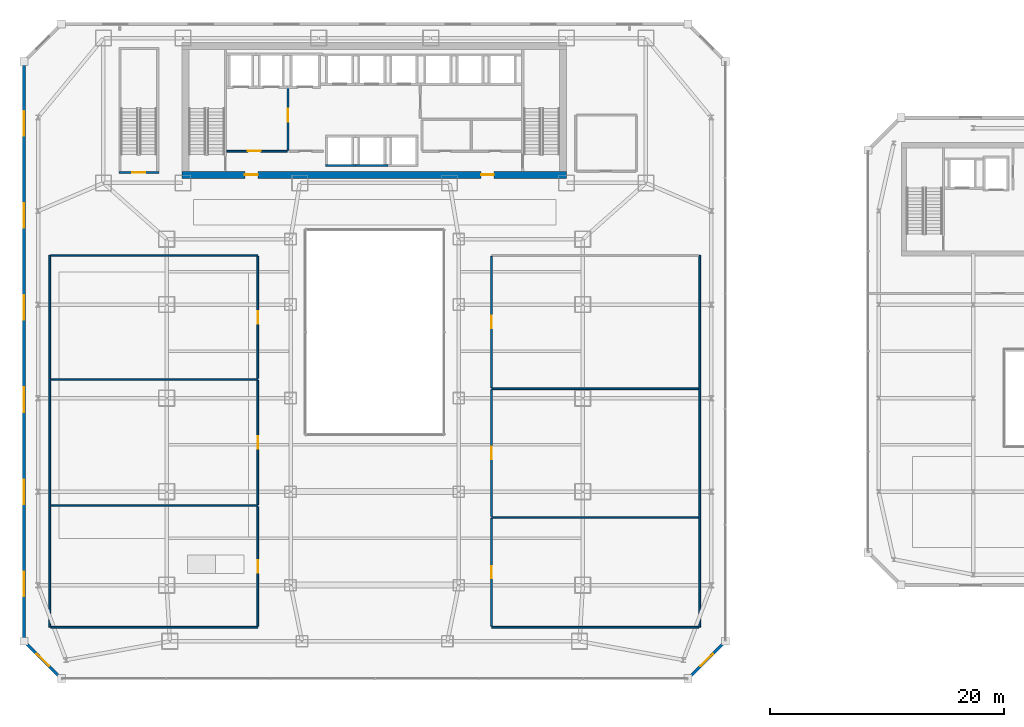
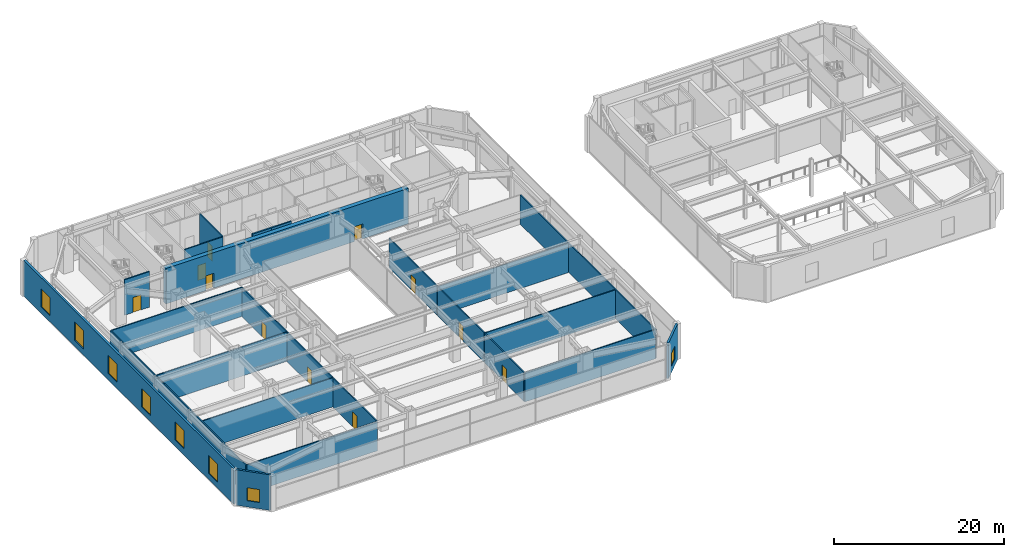
# One storey, part 39 of 52: 24 walls, 11 doors, 8 windows, 19 openings.
"""IFC4 building model written with IfcOpenShell, lengths in metres."""

from ifc_helpers import new_model, si_unit, direction, frame, frame_2d, origin, place, context, subcontext, project, spatial, rectangle, extrude, material, layer, layer_set, type_object, element, fill, save


model = new_model("IFC4")

# Units and contexts
model_context = context("Model", 3, precision=1e-05, world=origin(), true_north=direction((0.0, 1.0)))
body_context = subcontext(model_context, "Body", "Model", "MODEL_VIEW")
ifc_project = project(units=[si_unit("LENGTHUNIT", "METRE"), si_unit("AREAUNIT", "SQUARE_METRE"), si_unit("VOLUMEUNIT", "CUBIC_METRE"), si_unit("PLANEANGLEUNIT", "RADIAN"), si_unit("MASSUNIT", "GRAM", prefix="KILO")], contexts=[model_context])

# Site, building, storey
site_placement = place(None, origin())
site = spatial("IfcSite", under=ifc_project, at=site_placement, CompositionType="ELEMENT")
building_placement = place(site_placement, origin())
building = spatial("IfcBuilding", under=site, at=building_placement, Name="Saevonmaru Cultural Tower", CompositionType="ELEMENT")
storey_placement = place(building_placement, frame((0.0, 0.0, 16.800048828125)))
storey = spatial("IfcBuildingStorey", under=building, at=storey_placement, Name="L03", CompositionType="ELEMENT", Elevation=16.800048828125)

# Wall, openings, doors
ifc_material_1 = material(Name="Concrete C60/75", Category="concrete")
ifc_layer_1 = layer(ifc_material_1, 0.60009765625, Name="Concrete C60/75")
ifc_layer_set_1 = layer_set([ifc_layer_1], Name="Concrete C60/75")
wall_type_1 = type_object("IfcWallType", Name="WL-CORE-600", PredefinedType="SHEAR", material=ifc_layer_set_1)
wall_1_placement = place(storey_placement, frame((13.5, 43.10009765625, 0.0), z_axis=(0.0, 0.0, 1.0), x_axis=(1.0, 0.0, 0.0)))
wall_1 = element("IfcWall", 1, at=wall_1_placement, inside=storey, type_object=wall_type_1, Name="L03 Tower RC core shear wall S", PredefinedType="SHEAR", context=body_context, shape_type="SweptSolid", body=[
    extrude(rectangle(XDim=32.89990234375, YDim=0.60009765625, at=frame_2d((16.449951171875, 0.0))), origin(), (0.0, 0.0, 1.0), 5.099853515625),
])
opening_1_placement = place(wall_1_placement, frame((5.39990234375, 0.0, 0.0)))
opening_1 = element("IfcOpeningElement", 2, at=opening_1_placement, cuts=wall_1, Name="Opening FD-2", PredefinedType="OPENING", context=body_context, shape_type="SweptSolid", body=[
    extrude(rectangle(XDim=1.10009765625, YDim=2.14990234375, at=frame_2d((0.550048828125, 1.074951171875))), frame((0.0, 0.31005859375, 0.0), z_axis=(0.0, -1.0, 0.0), x_axis=(1.0, 0.0, 0.0)), (0.0, 0.0, 1.0), 0.6201171875),
])
opening_2_placement = place(wall_1_placement, frame((25.60009765625, 0.0, 0.0)))
opening_2 = element("IfcOpeningElement", 3, at=opening_2_placement, cuts=wall_1, Name="Opening FD-2", PredefinedType="OPENING", context=body_context, shape_type="SweptSolid", body=[
    extrude(rectangle(XDim=1.10009765625, YDim=2.14990234375, at=frame_2d((0.550048828125, 1.074951171875))), frame((0.0, 0.31005859375, 0.0), z_axis=(0.0, -1.0, 0.0), x_axis=(1.0, 0.0, 0.0)), (0.0, 0.0, 1.0), 0.6201171875),
])
ifc_material_2 = material(Name="Satin Bronze Anodised Aluminium", Category="aluminium")
door_type_1 = type_object("IfcDoorType", Name="DR-FD60-1100", OperationType="SINGLE_SWING_LEFT", PredefinedType="DOOR", material=ifc_material_2)
door_1_placement = place(opening_1_placement, origin())
door_1 = element("IfcDoor", 4, at=door_1_placement, inside=storey, type_object=door_type_1, Name="L03 Core West Lobby Fire Door", OperationType="SINGLE_SWING_LEFT", OverallHeight=2.14990234375, OverallWidth=1.10009765625, PredefinedType="DOOR", context=body_context, shape_type="SweptSolid", body=[
    extrude(rectangle(XDim=1.10009765625, YDim=2.14990234375, at=frame_2d((0.550048828125, 1.074951171875))), frame((0.0, 0.02490234375, 0.0), z_axis=(0.0, -1.0, 0.0), x_axis=(1.0, 0.0, 0.0)), (0.0, 0.0, 1.0), 0.050048828125),
])
fill(opening_1, door_1)
door_2_placement = place(opening_2_placement, origin())
door_2 = element("IfcDoor", 5, at=door_2_placement, inside=storey, type_object=door_type_1, Name="L03 Core East Lobby Fire Door", OperationType="SINGLE_SWING_LEFT", OverallHeight=2.14990234375, OverallWidth=1.10009765625, PredefinedType="DOOR", context=body_context, shape_type="SweptSolid", body=[
    extrude(rectangle(XDim=1.10009765625, YDim=2.14990234375, at=frame_2d((0.550048828125, 1.074951171875))), frame((0.0, 0.02490234375, 0.0), z_axis=(0.0, -1.0, 0.0), x_axis=(1.0, 0.0, 0.0)), (0.0, 0.0, 1.0), 0.050048828125),
])
fill(opening_2, door_2)

# Wall, opening, door
ifc_material_3 = material(Name="Gypsum Fireboard Partition", Category="gypsum")
ifc_layer_2 = layer(ifc_material_3, 0.14990234375, Name="Gypsum Fireboard Partition")
ifc_layer_set_2 = layer_set([ifc_layer_2], Name="Gypsum Fireboard Partition")
wall_type_2 = type_object("IfcWallType", Name="WL-CORE-PART-150", PredefinedType="PARTITIONING", material=ifc_layer_set_2)
wall_2_placement = place(storey_placement, frame((17.360107421875, 45.1201171875, 0.0), z_axis=(0.0, 0.0, 1.0), x_axis=(1.0, 0.0, 0.0)))
wall_2 = element("IfcWall", 6, at=wall_2_placement, inside=storey, type_object=wall_type_2, Name="L03 Firefighting Lift Lobby South Wall", PredefinedType="PARTITIONING", context=body_context, shape_type="SweptSolid", body=[
    extrude(rectangle(XDim=5.139892578125, YDim=0.14990234375, at=frame_2d((2.56982421875, 0.0))), origin(), (0.0, 0.0, 1.0), 5.099853515625),
])
opening_3_placement = place(wall_2_placement, frame((1.800048828125, 0.0, 0.0)))
opening_3 = element("IfcOpeningElement", 7, at=opening_3_placement, cuts=wall_2, Name="Opening FD-2", PredefinedType="OPENING", context=body_context, shape_type="SweptSolid", body=[
    extrude(rectangle(XDim=1.10009765625, YDim=2.14990234375, at=frame_2d((0.550048828125, 1.074951171875))), frame((0.0, 0.0849609375, 0.0), z_axis=(0.0, -1.0, 0.0), x_axis=(1.0, 0.0, 0.0)), (0.0, 0.0, 1.0), 0.169921875),
])
door_3_placement = place(opening_3_placement, origin())
door_3 = element("IfcDoor", 8, at=door_3_placement, inside=storey, type_object=door_type_1, Name="L03 Firefighting Lift Lobby South Door", OperationType="SINGLE_SWING_LEFT", OverallHeight=2.14990234375, OverallWidth=1.10009765625, PredefinedType="DOOR", context=body_context, shape_type="SweptSolid", body=[
    extrude(rectangle(XDim=1.10009765625, YDim=2.14990234375, at=frame_2d((0.550048828125, 1.074951171875))), frame((0.0, 0.02490234375, 0.0), z_axis=(0.0, -1.0, 0.0), x_axis=(1.0, 0.0, 0.0)), (0.0, 0.0, 1.0), 0.050048828125),
])
fill(opening_3, door_3)

wall_3_placement = place(storey_placement, frame((22.580078125, 50.550048828125, 0.0), z_axis=(0.0, 0.0, 1.0), x_axis=(0.0, -1.0, 0.0)))
wall_3 = element("IfcWall", 9, at=wall_3_placement, inside=storey, type_object=wall_type_2, Name="L03 Firefighting Lift Lobby East Wall", PredefinedType="PARTITIONING", context=body_context, shape_type="SweptSolid", body=[
    extrude(rectangle(XDim=5.330078125, YDim=0.14990234375, at=frame_2d((2.6650390625, 0.0))), origin(), (0.0, 0.0, 1.0), 5.099853515625),
])
opening_4_placement = place(wall_3_placement, frame((1.800048828125, 0.0, 0.0)))
opening_4 = element("IfcOpeningElement", 10, at=opening_4_placement, cuts=wall_3, Name="Opening FD-2", PredefinedType="OPENING", context=body_context, shape_type="SweptSolid", body=[
    extrude(rectangle(XDim=1.10009765625, YDim=2.14990234375, at=frame_2d((0.550048828125, 1.074951171875))), frame((0.0, 0.0849609375, 0.0), z_axis=(0.0, -1.0, 0.0), x_axis=(1.0, 0.0, 0.0)), (0.0, 0.0, 1.0), 0.169921875),
])
door_4_placement = place(opening_4_placement, origin())
door_4 = element("IfcDoor", 11, at=door_4_placement, inside=storey, type_object=door_type_1, Name="L03 Firefighting Lift Lobby East Door", OperationType="SINGLE_SWING_LEFT", OverallHeight=2.14990234375, OverallWidth=1.10009765625, PredefinedType="DOOR", context=body_context, shape_type="SweptSolid", body=[
    extrude(rectangle(XDim=1.10009765625, YDim=2.14990234375, at=frame_2d((0.550048828125, 1.074951171875))), frame((0.0, 0.02490234375, 0.0), z_axis=(0.0, -1.0, 0.0), x_axis=(1.0, 0.0, 0.0)), (0.0, 0.0, 1.0), 0.050048828125),
])
fill(opening_4, door_4)

# Wall, opening, window
ifc_material_4 = material(Name="Granite-Clad Precast Concrete C40/50", Category="masonry")
ifc_layer_3 = layer(ifc_material_4, 0.260009765625, Name="Granite-Clad Precast Concrete C40/50")
ifc_layer_set_3 = layer_set([ifc_layer_3], Name="Granite-Clad Precast Concrete C40/50")
wall_type_3 = type_object("IfcWallType", Name="WL-EXT-SPANDREL-260", PredefinedType="STANDARD", material=ifc_layer_set_3)
wall_4_placement = place(storey_placement, frame((0.113037109375, 3.0869140625, 0.0), z_axis=(0.0, 0.0, 1.0), x_axis=(0.707106781187, -0.707106781187, 0.0)))
wall_4 = element("IfcWall", 12, at=wall_4_placement, inside=storey, type_object=wall_type_3, Name="L03 Podium Bronze-Granite Exterior Wall E1", PredefinedType="STANDARD", context=body_context, shape_type="SweptSolid", body=[
    extrude(rectangle(XDim=4.205810546875, YDim=0.260009765625, at=frame_2d((2.10302734375, 0.0))), origin(), (0.0, 0.0, 1.0), 5.099853515625),
])
opening_5_placement = place(wall_4_placement, frame((1.35302734375, 0.0, 0.89990234375)))
opening_5 = element("IfcOpeningElement", 13, at=opening_5_placement, cuts=wall_4, Name="Opening W-2B", PredefinedType="OPENING", context=body_context, shape_type="SweptSolid", body=[
    extrude(rectangle(XDim=1.5, YDim=1.85009765625, at=frame_2d((0.75, 0.925048828125))), frame((0.0, 0.14013671875, 0.0), z_axis=(0.0, -1.0, 0.0), x_axis=(1.0, 0.0, 0.0)), (0.0, 0.0, 1.0), 0.280029296875),
])
window_type_1 = type_object("IfcWindowType", Name="WN-DECO-1500x1850", PartitioningType="SINGLE_PANEL", PredefinedType="WINDOW", material=ifc_material_2)
window_1_placement = place(opening_5_placement, origin())
window_1 = element("IfcWindow", 14, at=window_1_placement, inside=storey, type_object=window_type_1, Name="L03 Chamfer Bay Window E1", OverallHeight=1.85009765625, OverallWidth=1.5, PartitioningType="SINGLE_PANEL", PredefinedType="WINDOW", context=body_context, shape_type="SweptSolid", body=[
    extrude(rectangle(XDim=1.5, YDim=1.85009765625, at=frame_2d((0.75, 0.925048828125))), frame((0.0, 0.030029296875, 0.0), z_axis=(0.0, -1.0, 0.0), x_axis=(1.0, 0.0, 0.0)), (0.0, 0.0, 1.0), 0.06005859375),
])
fill(opening_5, window_1)

wall_5_placement = place(storey_placement, frame((56.9130859375, 0.113037109375, 0.0), z_axis=(0.0, 0.0, 1.0), x_axis=(0.707106781187, 0.707106781187, 0.0)))
wall_5 = element("IfcWall", 15, at=wall_5_placement, inside=storey, type_object=wall_type_3, Name="L03 Podium Bronze-Granite Exterior Wall E3", PredefinedType="STANDARD", context=body_context, shape_type="SweptSolid", body=[
    extrude(rectangle(XDim=4.205810546875, YDim=0.260009765625, at=frame_2d((2.10302734375, 0.0))), origin(), (0.0, 0.0, 1.0), 5.099853515625),
])
opening_6_placement = place(wall_5_placement, frame((1.35302734375, 0.0, 0.89990234375)))
opening_6 = element("IfcOpeningElement", 16, at=opening_6_placement, cuts=wall_5, Name="Opening W-2B", PredefinedType="OPENING", context=body_context, shape_type="SweptSolid", body=[
    extrude(rectangle(XDim=1.5, YDim=1.85009765625, at=frame_2d((0.75, 0.925048828125))), frame((0.0, 0.14013671875, 0.0), z_axis=(0.0, -1.0, 0.0), x_axis=(1.0, 0.0, 0.0)), (0.0, 0.0, 1.0), 0.280029296875),
])
window_2_placement = place(opening_6_placement, origin())
window_2 = element("IfcWindow", 17, at=window_2_placement, inside=storey, type_object=window_type_1, Name="L03 Chamfer Bay Window E3", OverallHeight=1.85009765625, OverallWidth=1.5, PartitioningType="SINGLE_PANEL", PredefinedType="WINDOW", context=body_context, shape_type="SweptSolid", body=[
    extrude(rectangle(XDim=1.5, YDim=1.85009765625, at=frame_2d((0.75, 0.925048828125))), frame((0.0, 0.030029296875, 0.0), z_axis=(0.0, -1.0, 0.0), x_axis=(1.0, 0.0, 0.0)), (0.0, 0.0, 1.0), 0.06005859375),
])
fill(opening_6, window_2)

# Wall, openings, windows
ifc_layer_4 = layer(ifc_material_4, 0.280029296875, Name="Granite-Clad Precast Concrete C40/50")
ifc_layer_set_4 = layer_set([ifc_layer_4], Name="Granite-Clad Precast Concrete C40/50")
wall_type_4 = type_object("IfcWallType", Name="WL-EXT-SPANDREL-280", PredefinedType="STANDARD", material=ifc_layer_set_4)
wall_6_placement = place(storey_placement, frame((0.0, 52.639892578125, 0.0), z_axis=(0.0, 0.0, 1.0), x_axis=(0.0, -1.0, 0.0)))
wall_6 = element("IfcWall", 18, at=wall_6_placement, inside=storey, type_object=wall_type_4, Name="L03 Podium Bronze-Granite Exterior Wall E8", PredefinedType="STANDARD", context=body_context, shape_type="SweptSolid", body=[
    extrude(rectangle(XDim=49.27978515625, YDim=0.280029296875, at=frame_2d((24.639892578125, 0.0))), origin(), (0.0, 0.0, 1.0), 5.099853515625),
])
opening_7_placement = place(wall_6_placement, frame((4.090087890625, 0.0, 0.89990234375)))
opening_7 = element("IfcOpeningElement", 19, at=opening_7_placement, cuts=wall_6, Name="Opening W-1B", PredefinedType="OPENING", context=body_context, shape_type="SweptSolid", body=[
    extrude(rectangle(XDim=2.10009765625, YDim=2.60009765625, at=frame_2d((1.050048828125, 1.300048828125))), frame((0.0, 0.14990234375, 0.0), z_axis=(0.0, -1.0, 0.0), x_axis=(1.0, 0.0, 0.0)), (0.0, 0.0, 1.0), 0.300048828125),
])
opening_8_placement = place(wall_6_placement, frame((11.969970703125, 0.0, 0.89990234375)))
opening_8 = element("IfcOpeningElement", 20, at=opening_8_placement, cuts=wall_6, Name="Opening W-1B", PredefinedType="OPENING", context=body_context, shape_type="SweptSolid", body=[
    extrude(rectangle(XDim=2.10009765625, YDim=2.60009765625, at=frame_2d((1.050048828125, 1.300048828125))), frame((0.0, 0.14990234375, 0.0), z_axis=(0.0, -1.0, 0.0), x_axis=(1.0, 0.0, 0.0)), (0.0, 0.0, 1.0), 0.300048828125),
])
opening_9_placement = place(wall_6_placement, frame((19.85009765625, 0.0, 0.89990234375)))
opening_9 = element("IfcOpeningElement", 21, at=opening_9_placement, cuts=wall_6, Name="Opening W-1B", PredefinedType="OPENING", context=body_context, shape_type="SweptSolid", body=[
    extrude(rectangle(XDim=2.10009765625, YDim=2.60009765625, at=frame_2d((1.050048828125, 1.300048828125))), frame((0.0, 0.14990234375, 0.0), z_axis=(0.0, -1.0, 0.0), x_axis=(1.0, 0.0, 0.0)), (0.0, 0.0, 1.0), 0.300048828125),
])
opening_10_placement = place(wall_6_placement, frame((27.72998046875, 0.0, 0.89990234375)))
opening_10 = element("IfcOpeningElement", 22, at=opening_10_placement, cuts=wall_6, Name="Opening W-1B", PredefinedType="OPENING", context=body_context, shape_type="SweptSolid", body=[
    extrude(rectangle(XDim=2.10009765625, YDim=2.60009765625, at=frame_2d((1.050048828125, 1.300048828125))), frame((0.0, 0.14990234375, 0.0), z_axis=(0.0, -1.0, 0.0), x_axis=(1.0, 0.0, 0.0)), (0.0, 0.0, 1.0), 0.300048828125),
])
opening_11_placement = place(wall_6_placement, frame((35.610107421875, 0.0, 0.89990234375)))
opening_11 = element("IfcOpeningElement", 23, at=opening_11_placement, cuts=wall_6, Name="Opening W-1B", PredefinedType="OPENING", context=body_context, shape_type="SweptSolid", body=[
    extrude(rectangle(XDim=2.10009765625, YDim=2.60009765625, at=frame_2d((1.050048828125, 1.300048828125))), frame((0.0, 0.14990234375, 0.0), z_axis=(0.0, -1.0, 0.0), x_axis=(1.0, 0.0, 0.0)), (0.0, 0.0, 1.0), 0.300048828125),
])
opening_12_placement = place(wall_6_placement, frame((43.489990234375, 0.0, 0.89990234375)))
opening_12 = element("IfcOpeningElement", 24, at=opening_12_placement, cuts=wall_6, Name="Opening W-1B", PredefinedType="OPENING", context=body_context, shape_type="SweptSolid", body=[
    extrude(rectangle(XDim=2.10009765625, YDim=2.60009765625, at=frame_2d((1.050048828125, 1.300048828125))), frame((0.0, 0.14990234375, 0.0), z_axis=(0.0, -1.0, 0.0), x_axis=(1.0, 0.0, 0.0)), (0.0, 0.0, 1.0), 0.300048828125),
])
window_type_2 = type_object("IfcWindowType", Name="WN-DECO-2100x2600", PartitioningType="DOUBLE_PANEL_VERTICAL", PredefinedType="WINDOW", material=ifc_material_2)
window_3_placement = place(opening_7_placement, origin())
window_3 = element("IfcWindow", 25, at=window_3_placement, inside=storey, type_object=window_type_2, Name="L03 Art Deco Bronze Window E8-1", OverallHeight=2.60009765625, OverallWidth=2.10009765625, PartitioningType="DOUBLE_PANEL_VERTICAL", PredefinedType="WINDOW", context=body_context, shape_type="SweptSolid", body=[
    extrude(rectangle(XDim=2.10009765625, YDim=2.60009765625, at=frame_2d((1.050048828125, 1.300048828125))), frame((0.0, 0.030029296875, 0.0), z_axis=(0.0, -1.0, 0.0), x_axis=(1.0, 0.0, 0.0)), (0.0, 0.0, 1.0), 0.06005859375),
])
fill(opening_7, window_3)
window_4_placement = place(opening_8_placement, origin())
window_4 = element("IfcWindow", 26, at=window_4_placement, inside=storey, type_object=window_type_2, Name="L03 Art Deco Bronze Window E8-2", OverallHeight=2.60009765625, OverallWidth=2.10009765625, PartitioningType="DOUBLE_PANEL_VERTICAL", PredefinedType="WINDOW", context=body_context, shape_type="SweptSolid", body=[
    extrude(rectangle(XDim=2.10009765625, YDim=2.60009765625, at=frame_2d((1.050048828125, 1.300048828125))), frame((0.0, 0.030029296875, 0.0), z_axis=(0.0, -1.0, 0.0), x_axis=(1.0, 0.0, 0.0)), (0.0, 0.0, 1.0), 0.06005859375),
])
fill(opening_8, window_4)
window_5_placement = place(opening_9_placement, origin())
window_5 = element("IfcWindow", 27, at=window_5_placement, inside=storey, type_object=window_type_2, Name="L03 Art Deco Bronze Window E8-3", OverallHeight=2.60009765625, OverallWidth=2.10009765625, PartitioningType="DOUBLE_PANEL_VERTICAL", PredefinedType="WINDOW", context=body_context, shape_type="SweptSolid", body=[
    extrude(rectangle(XDim=2.10009765625, YDim=2.60009765625, at=frame_2d((1.050048828125, 1.300048828125))), frame((0.0, 0.030029296875, 0.0), z_axis=(0.0, -1.0, 0.0), x_axis=(1.0, 0.0, 0.0)), (0.0, 0.0, 1.0), 0.06005859375),
])
fill(opening_9, window_5)
window_6_placement = place(opening_10_placement, origin())
window_6 = element("IfcWindow", 28, at=window_6_placement, inside=storey, type_object=window_type_2, Name="L03 Art Deco Bronze Window E8-4", OverallHeight=2.60009765625, OverallWidth=2.10009765625, PartitioningType="DOUBLE_PANEL_VERTICAL", PredefinedType="WINDOW", context=body_context, shape_type="SweptSolid", body=[
    extrude(rectangle(XDim=2.10009765625, YDim=2.60009765625, at=frame_2d((1.050048828125, 1.300048828125))), frame((0.0, 0.030029296875, 0.0), z_axis=(0.0, -1.0, 0.0), x_axis=(1.0, 0.0, 0.0)), (0.0, 0.0, 1.0), 0.06005859375),
])
fill(opening_10, window_6)
window_7_placement = place(opening_11_placement, origin())
window_7 = element("IfcWindow", 29, at=window_7_placement, inside=storey, type_object=window_type_2, Name="L03 Art Deco Bronze Window E8-5", OverallHeight=2.60009765625, OverallWidth=2.10009765625, PartitioningType="DOUBLE_PANEL_VERTICAL", PredefinedType="WINDOW", context=body_context, shape_type="SweptSolid", body=[
    extrude(rectangle(XDim=2.10009765625, YDim=2.60009765625, at=frame_2d((1.050048828125, 1.300048828125))), frame((0.0, 0.030029296875, 0.0), z_axis=(0.0, -1.0, 0.0), x_axis=(1.0, 0.0, 0.0)), (0.0, 0.0, 1.0), 0.06005859375),
])
fill(opening_11, window_7)
window_8_placement = place(opening_12_placement, origin())
window_8 = element("IfcWindow", 30, at=window_8_placement, inside=storey, type_object=window_type_2, Name="L03 Art Deco Bronze Window E8-6", OverallHeight=2.60009765625, OverallWidth=2.10009765625, PartitioningType="DOUBLE_PANEL_VERTICAL", PredefinedType="WINDOW", context=body_context, shape_type="SweptSolid", body=[
    extrude(rectangle(XDim=2.10009765625, YDim=2.60009765625, at=frame_2d((1.050048828125, 1.300048828125))), frame((0.0, 0.030029296875, 0.0), z_axis=(0.0, -1.0, 0.0), x_axis=(1.0, 0.0, 0.0)), (0.0, 0.0, 1.0), 0.06005859375),
])
fill(opening_12, window_8)

# Wall
ifc_layer_5 = layer(ifc_material_3, 0.14990234375, Name="Gypsum Fireboard Partition")
ifc_layer_set_5 = layer_set([ifc_layer_5], Name="Gypsum Fireboard Partition")
wall_type_5 = type_object("IfcWallType", Name="WL-PART-FIRE-150", PredefinedType="PARTITIONING", material=ifc_layer_set_5)
wall_7_placement = place(storey_placement, frame((2.199951171875, 4.39990234375, 0.0), z_axis=(0.0, 0.0, 1.0), x_axis=(0.0, 1.0, 0.0)))
element("IfcWall", 31, at=wall_7_placement, inside=storey, type_object=wall_type_5, Name="L03 West Museum Back Wall", PredefinedType="PARTITIONING", context=body_context, shape_type="SweptSolid", body=[
    extrude(rectangle(XDim=31.800048828125, YDim=0.14990234375, at=frame_2d((15.89990234375, 0.0))), origin(), (0.0, 0.0, 1.0), 4.18505859375),
])

# Wall, opening, door
wall_8_placement = place(storey_placement, frame((20.0, 4.487548828125, 0.0), z_axis=(0.0, 0.0, 1.0), x_axis=(0.0, 1.0, 0.0)))
wall_8 = element("IfcWall", 32, at=wall_8_placement, inside=storey, type_object=wall_type_5, Name="L03 Permanent Celadon Ceramics Gallery East Wall", PredefinedType="PARTITIONING", context=body_context, shape_type="SweptSolid", body=[
    extrude(rectangle(XDim=10.224853515625, YDim=0.14990234375, at=frame_2d((5.1123046875, 0.0))), origin(), (0.0, 0.0, 1.0), 4.18505859375),
])
opening_13_placement = place(wall_8_placement, frame((4.587890625, 0.0, 0.0)))
opening_13 = element("IfcOpeningElement", 33, at=opening_13_placement, cuts=wall_8, Name="Opening ID-1", PredefinedType="OPENING", context=body_context, shape_type="SweptSolid", body=[
    extrude(rectangle(XDim=1.050048828125, YDim=2.14990234375, at=frame_2d((0.52490234375, 1.074951171875))), frame((0.0, 0.0849609375, 0.0), z_axis=(0.0, -1.0, 0.0), x_axis=(1.0, 0.0, 0.0)), (0.0, 0.0, 1.0), 0.169921875),
])
door_type_2 = type_object("IfcDoorType", Name="DR-INT-1050", OperationType="SINGLE_SWING_LEFT", PredefinedType="DOOR", material=ifc_material_2)
door_5_placement = place(opening_13_placement, origin())
door_5 = element("IfcDoor", 34, at=door_5_placement, inside=storey, type_object=door_type_2, Name="L03 Permanent Celadon Ceramics Gallery Door", OperationType="SINGLE_SWING_RIGHT", OverallHeight=2.14990234375, OverallWidth=1.050048828125, PredefinedType="DOOR", context=body_context, shape_type="SweptSolid", body=[
    extrude(rectangle(XDim=1.050048828125, YDim=2.14990234375, at=frame_2d((0.52490234375, 1.074951171875))), frame((0.0, 0.02490234375, 0.0), z_axis=(0.0, -1.0, 0.0), x_axis=(1.0, 0.0, 0.0)), (0.0, 0.0, 1.0), 0.050048828125),
])
fill(opening_13, door_5)

wall_9_placement = place(storey_placement, frame((20.0, 14.887451171875, 0.0), z_axis=(0.0, 0.0, 1.0), x_axis=(0.0, 1.0, 0.0)))
wall_9 = element("IfcWall", 35, at=wall_9_placement, inside=storey, type_object=wall_type_5, Name="L03 Modern Korean Ink Painting Gallery East Wall", PredefinedType="PARTITIONING", context=body_context, shape_type="SweptSolid", body=[
    extrude(rectangle(XDim=10.625, YDim=0.14990234375, at=frame_2d((5.3125, 0.0))), origin(), (0.0, 0.0, 1.0), 4.18505859375),
])
opening_14_placement = place(wall_9_placement, frame((4.787109375, 0.0, 0.0)))
opening_14 = element("IfcOpeningElement", 36, at=opening_14_placement, cuts=wall_9, Name="Opening ID-1", PredefinedType="OPENING", context=body_context, shape_type="SweptSolid", body=[
    extrude(rectangle(XDim=1.050048828125, YDim=2.14990234375, at=frame_2d((0.52490234375, 1.074951171875))), frame((0.0, 0.0849609375, 0.0), z_axis=(0.0, -1.0, 0.0), x_axis=(1.0, 0.0, 0.0)), (0.0, 0.0, 1.0), 0.169921875),
])
door_6_placement = place(opening_14_placement, origin())
door_6 = element("IfcDoor", 37, at=door_6_placement, inside=storey, type_object=door_type_2, Name="L03 Modern Korean Ink Painting Gallery Door", OperationType="SINGLE_SWING_LEFT", OverallHeight=2.14990234375, OverallWidth=1.050048828125, PredefinedType="DOOR", context=body_context, shape_type="SweptSolid", body=[
    extrude(rectangle(XDim=1.050048828125, YDim=2.14990234375, at=frame_2d((0.52490234375, 1.074951171875))), frame((0.0, 0.02490234375, 0.0), z_axis=(0.0, -1.0, 0.0), x_axis=(1.0, 0.0, 0.0)), (0.0, 0.0, 1.0), 0.050048828125),
])
fill(opening_14, door_6)

wall_10_placement = place(storey_placement, frame((20.0, 25.6875, 0.0), z_axis=(0.0, 0.0, 1.0), x_axis=(0.0, 1.0, 0.0)))
wall_10 = element("IfcWall", 38, at=wall_10_placement, inside=storey, type_object=wall_type_5, Name="L03 Decorative Bronze Arts Gallery East Wall", PredefinedType="PARTITIONING", context=body_context, shape_type="SweptSolid", body=[
    extrude(rectangle(XDim=10.425048828125, YDim=0.14990234375, at=frame_2d((5.21240234375, 0.0))), origin(), (0.0, 0.0, 1.0), 4.18505859375),
])
opening_15_placement = place(wall_10_placement, frame((4.68701171875, 0.0, 0.0)))
opening_15 = element("IfcOpeningElement", 39, at=opening_15_placement, cuts=wall_10, Name="Opening ID-1", PredefinedType="OPENING", context=body_context, shape_type="SweptSolid", body=[
    extrude(rectangle(XDim=1.050048828125, YDim=2.14990234375, at=frame_2d((0.52490234375, 1.074951171875))), frame((0.0, 0.0849609375, 0.0), z_axis=(0.0, -1.0, 0.0), x_axis=(1.0, 0.0, 0.0)), (0.0, 0.0, 1.0), 0.169921875),
])
door_7_placement = place(opening_15_placement, origin())
door_7 = element("IfcDoor", 40, at=door_7_placement, inside=storey, type_object=door_type_2, Name="L03 Decorative Bronze Arts Gallery Door", OperationType="SINGLE_SWING_RIGHT", OverallHeight=2.14990234375, OverallWidth=1.050048828125, PredefinedType="DOOR", context=body_context, shape_type="SweptSolid", body=[
    extrude(rectangle(XDim=1.050048828125, YDim=2.14990234375, at=frame_2d((0.52490234375, 1.074951171875))), frame((0.0, 0.02490234375, 0.0), z_axis=(0.0, -1.0, 0.0), x_axis=(1.0, 0.0, 0.0)), (0.0, 0.0, 1.0), 0.050048828125),
])
fill(opening_15, door_7)

# Wall
wall_11_placement = place(storey_placement, frame((57.800048828125, 4.39990234375, 0.0), z_axis=(0.0, 0.0, 1.0), x_axis=(0.0, 1.0, 0.0)))
element("IfcWall", 41, at=wall_11_placement, inside=storey, type_object=wall_type_5, Name="L03 East Museum Back Wall", PredefinedType="PARTITIONING", context=body_context, shape_type="SweptSolid", body=[
    extrude(rectangle(XDim=31.800048828125, YDim=0.14990234375, at=frame_2d((15.89990234375, 0.0))), origin(), (0.0, 0.0, 1.0), 4.18505859375),
])

# Wall, opening, door
wall_12_placement = place(storey_placement, frame((40.0, 4.487548828125, 0.0), z_axis=(0.0, 0.0, 1.0), x_axis=(0.0, 1.0, 0.0)))
wall_12 = element("IfcWall", 42, at=wall_12_placement, inside=storey, type_object=wall_type_5, Name="L03 Architectural Design Lecture Room West Wall", PredefinedType="PARTITIONING", context=body_context, shape_type="SweptSolid", body=[
    extrude(rectangle(XDim=9.224853515625, YDim=0.14990234375, at=frame_2d((4.6123046875, 0.0))), origin(), (0.0, 0.0, 1.0), 4.18505859375),
])
opening_16_placement = place(wall_12_placement, frame((4.087890625, 0.0, 0.0)))
opening_16 = element("IfcOpeningElement", 43, at=opening_16_placement, cuts=wall_12, Name="Opening ID-1", PredefinedType="OPENING", context=body_context, shape_type="SweptSolid", body=[
    extrude(rectangle(XDim=1.050048828125, YDim=2.14990234375, at=frame_2d((0.52490234375, 1.074951171875))), frame((0.0, 0.0849609375, 0.0), z_axis=(0.0, -1.0, 0.0), x_axis=(1.0, 0.0, 0.0)), (0.0, 0.0, 1.0), 0.169921875),
])
door_8_placement = place(opening_16_placement, origin())
door_8 = element("IfcDoor", 44, at=door_8_placement, inside=storey, type_object=door_type_2, Name="L03 Architectural Design Lecture Room Door", OperationType="SINGLE_SWING_LEFT", OverallHeight=2.14990234375, OverallWidth=1.050048828125, PredefinedType="DOOR", context=body_context, shape_type="SweptSolid", body=[
    extrude(rectangle(XDim=1.050048828125, YDim=2.14990234375, at=frame_2d((0.52490234375, 1.074951171875))), frame((0.0, 0.02490234375, 0.0), z_axis=(0.0, -1.0, 0.0), x_axis=(1.0, 0.0, 0.0)), (0.0, 0.0, 1.0), 0.050048828125),
])
fill(opening_16, door_8)

wall_13_placement = place(storey_placement, frame((40.0, 13.887451171875, 0.0), z_axis=(0.0, 0.0, 1.0), x_axis=(0.0, 1.0, 0.0)))
wall_13 = element("IfcWall", 45, at=wall_13_placement, inside=storey, type_object=wall_type_5, Name="L03 Curatorial Conservation Studio West Wall", PredefinedType="PARTITIONING", context=body_context, shape_type="SweptSolid", body=[
    extrude(rectangle(XDim=10.824951171875, YDim=0.14990234375, at=frame_2d((5.41259765625, 0.0))), origin(), (0.0, 0.0, 1.0), 4.18505859375),
])
opening_17_placement = place(wall_13_placement, frame((4.886962890625, 0.0, 0.0)))
opening_17 = element("IfcOpeningElement", 46, at=opening_17_placement, cuts=wall_13, Name="Opening ID-1", PredefinedType="OPENING", context=body_context, shape_type="SweptSolid", body=[
    extrude(rectangle(XDim=1.050048828125, YDim=2.14990234375, at=frame_2d((0.52490234375, 1.074951171875))), frame((0.0, 0.0849609375, 0.0), z_axis=(0.0, -1.0, 0.0), x_axis=(1.0, 0.0, 0.0)), (0.0, 0.0, 1.0), 0.169921875),
])
door_9_placement = place(opening_17_placement, origin())
door_9 = element("IfcDoor", 47, at=door_9_placement, inside=storey, type_object=door_type_2, Name="L03 Curatorial Conservation Studio Door", OperationType="SINGLE_SWING_RIGHT", OverallHeight=2.14990234375, OverallWidth=1.050048828125, PredefinedType="DOOR", context=body_context, shape_type="SweptSolid", body=[
    extrude(rectangle(XDim=1.050048828125, YDim=2.14990234375, at=frame_2d((0.52490234375, 1.074951171875))), frame((0.0, 0.02490234375, 0.0), z_axis=(0.0, -1.0, 0.0), x_axis=(1.0, 0.0, 0.0)), (0.0, 0.0, 1.0), 0.050048828125),
])
fill(opening_17, door_9)

wall_14_placement = place(storey_placement, frame((40.0, 24.887451171875, 0.0), z_axis=(0.0, 0.0, 1.0), x_axis=(0.0, 1.0, 0.0)))
wall_14 = element("IfcWall", 48, at=wall_14_placement, inside=storey, type_object=wall_type_5, Name="L03 Contemporary Tapestry Exhibition Gallery West Wall", PredefinedType="PARTITIONING", context=body_context, shape_type="SweptSolid", body=[
    extrude(rectangle(XDim=11.22509765625, YDim=0.14990234375, at=frame_2d((5.612548828125, 0.0))), origin(), (0.0, 0.0, 1.0), 4.18505859375),
])
opening_18_placement = place(wall_14_placement, frame((5.0869140625, 0.0, 0.0)))
opening_18 = element("IfcOpeningElement", 49, at=opening_18_placement, cuts=wall_14, Name="Opening ID-1", PredefinedType="OPENING", context=body_context, shape_type="SweptSolid", body=[
    extrude(rectangle(XDim=1.050048828125, YDim=2.14990234375, at=frame_2d((0.52490234375, 1.074951171875))), frame((0.0, 0.0849609375, 0.0), z_axis=(0.0, -1.0, 0.0), x_axis=(1.0, 0.0, 0.0)), (0.0, 0.0, 1.0), 0.169921875),
])
door_10_placement = place(opening_18_placement, origin())
door_10 = element("IfcDoor", 50, at=door_10_placement, inside=storey, type_object=door_type_2, Name="L03 Contemporary Tapestry Exhibition Gallery Door", OperationType="SINGLE_SWING_LEFT", OverallHeight=2.14990234375, OverallWidth=1.050048828125, PredefinedType="DOOR", context=body_context, shape_type="SweptSolid", body=[
    extrude(rectangle(XDim=1.050048828125, YDim=2.14990234375, at=frame_2d((0.52490234375, 1.074951171875))), frame((0.0, 0.02490234375, 0.0), z_axis=(0.0, -1.0, 0.0), x_axis=(1.0, 0.0, 0.0)), (0.0, 0.0, 1.0), 0.050048828125),
])
fill(opening_18, door_10)

# Walls
ifc_layer_6 = layer(ifc_material_3, 0.135009765625, Name="Gypsum Fireboard Partition")
ifc_layer_set_6 = layer_set([ifc_layer_6], Name="Gypsum Fireboard Partition")
wall_type_6 = type_object("IfcWallType", Name="WL-PART-GYP-135", PredefinedType="PARTITIONING", material=ifc_layer_set_6)
for number, where, z_axis, x_axis, name in (
    (51, (2.294921875, 4.39990234375, 0.0), (0.0, 0.0, 1.0), (1.0, 0.0, 0.0), "L03 West Gallery Split 4.4"),
    (52, (2.294921875, 14.800048828125, 0.0), (0.0, 0.0, 1.0), (1.0, 0.0, 0.0), "L03 West Gallery Split 14.8"),
    (53, (2.294921875, 25.60009765625, 0.0), (0.0, 0.0, 1.0), (1.0, 0.0, 0.0), "L03 West Gallery Split 25.6"),
    (54, (2.294921875, 36.199951171875, 0.0), (0.0, 0.0, 1.0), (1.0, 0.0, 0.0), "L03 West Gallery Split 36.2"),
    (55, (40.0, 4.39990234375, 0.0), (0.0, 0.0, 1.0), (1.0, 0.0, 0.0), "L03 East Suite Split 4.4"),
    (56, (40.0, 13.800048828125, 0.0), (0.0, 0.0, 1.0), (1.0, 0.0, 0.0), "L03 East Suite Split 13.8"),
    (57, (40.0, 24.800048828125, 0.0), (0.0, 0.0, 1.0), (1.0, 0.0, 0.0), "L03 East Suite Split 24.8"),
):
    element("IfcWall", number, at=place(storey_placement, frame(where, z_axis=z_axis, x_axis=x_axis)), inside=storey, type_object=wall_type_6, Name=name, PredefinedType="PARTITIONING", context=body_context, shape_type="SweptSolid", body=[
        extrude(rectangle(XDim=17.705078125, YDim=0.135009765625, at=frame_2d((8.8525390625, 0.0))), origin(), (0.0, 0.0, 1.0), 4.18505859375),
    ])
ifc_material_5 = material(Name="Concrete C40/50", Category="concrete")
ifc_layer_7 = layer(ifc_material_5, 0.199951171875, Name="Concrete C40/50")
ifc_layer_set_7 = layer_set([ifc_layer_7], Name="Concrete C40/50")
wall_type_7 = type_object("IfcWallType", Name="WL-SHAFT-200", PredefinedType="SHEAR", material=ifc_layer_set_7)
wall_15_placement = place(storey_placement, frame((25.800048828125, 43.89990234375, 0.0), z_axis=(0.0, 0.0, 1.0), x_axis=(1.0, 0.0, 0.0)))
element("IfcWall", 58, at=wall_15_placement, inside=storey, type_object=wall_type_7, Name="L03 Lift PL-M1 Hoistway Wall S", PredefinedType="SHEAR", context=body_context, shape_type="SweptSolid", body=[
    extrude(rectangle(XDim=2.574951171875, YDim=0.199951171875, at=frame_2d((1.28759765625, 0.0))), origin(), (0.0, 0.0, 1.0), 5.099853515625),
])
wall_16_placement = place(storey_placement, frame((28.375, 43.89990234375, 0.0), z_axis=(0.0, 0.0, 1.0), x_axis=(1.0, 0.0, 0.0)))
element("IfcWall", 59, at=wall_16_placement, inside=storey, type_object=wall_type_7, Name="L03 Lift PL-M2 Hoistway Wall S", PredefinedType="SHEAR", context=body_context, shape_type="SweptSolid", body=[
    extrude(rectangle(XDim=2.75, YDim=0.199951171875, at=frame_2d((1.375, 0.0))), origin(), (0.0, 0.0, 1.0), 5.099853515625),
])

# Wall, opening, door
ifc_layer_8 = layer(ifc_material_5, 0.179931640625, Name="Concrete C40/50")
ifc_layer_set_8 = layer_set([ifc_layer_8], Name="Concrete C40/50")
wall_type_8 = type_object("IfcWallType", Name="WL-STSHAFT-180", PredefinedType="SHEAR", material=ifc_layer_set_8)
wall_17_placement = place(storey_placement, frame((8.1201171875, 43.31005859375, 0.0), z_axis=(0.0, 0.0, 1.0), x_axis=(1.0, 0.0, 0.0)))
wall_17 = element("IfcWall", 60, at=wall_17_placement, inside=storey, type_object=wall_type_8, Name="L03 Stair ST-3 Structural Shaft Wall 1", PredefinedType="SHEAR", context=body_context, shape_type="SweptSolid", body=[
    extrude(rectangle(XDim=3.409912109375, YDim=0.179931640625, at=frame_2d((1.705078125, 0.0))), origin(), (0.0, 0.0, 1.0), 5.099853515625),
])
opening_19_placement = place(wall_17_placement, frame((1.14990234375, 0.0, 0.0)))
opening_19 = element("IfcOpeningElement", 61, at=opening_19_placement, cuts=wall_17, Name="Opening FD-2", PredefinedType="OPENING", context=body_context, shape_type="SweptSolid", body=[
    extrude(rectangle(XDim=1.10009765625, YDim=2.14990234375, at=frame_2d((0.550048828125, 1.074951171875))), frame((0.0, 0.10009765625, 0.0), z_axis=(0.0, -1.0, 0.0), x_axis=(1.0, 0.0, 0.0)), (0.0, 0.0, 1.0), 0.199951171875),
])
door_11_placement = place(opening_19_placement, origin())
door_11 = element("IfcDoor", 62, at=door_11_placement, inside=storey, type_object=door_type_1, Name="L03 Protected Stair ST-3 Fire Door", OperationType="SINGLE_SWING_LEFT", OverallHeight=2.14990234375, OverallWidth=1.10009765625, PredefinedType="DOOR", context=body_context, shape_type="SweptSolid", body=[
    extrude(rectangle(XDim=1.10009765625, YDim=2.14990234375, at=frame_2d((0.550048828125, 1.074951171875))), frame((0.0, 0.02490234375, 0.0), z_axis=(0.0, -1.0, 0.0), x_axis=(1.0, 0.0, 0.0)), (0.0, 0.0, 1.0), 0.050048828125),
])
fill(opening_19, door_11)

save(model, "model.ifc")
